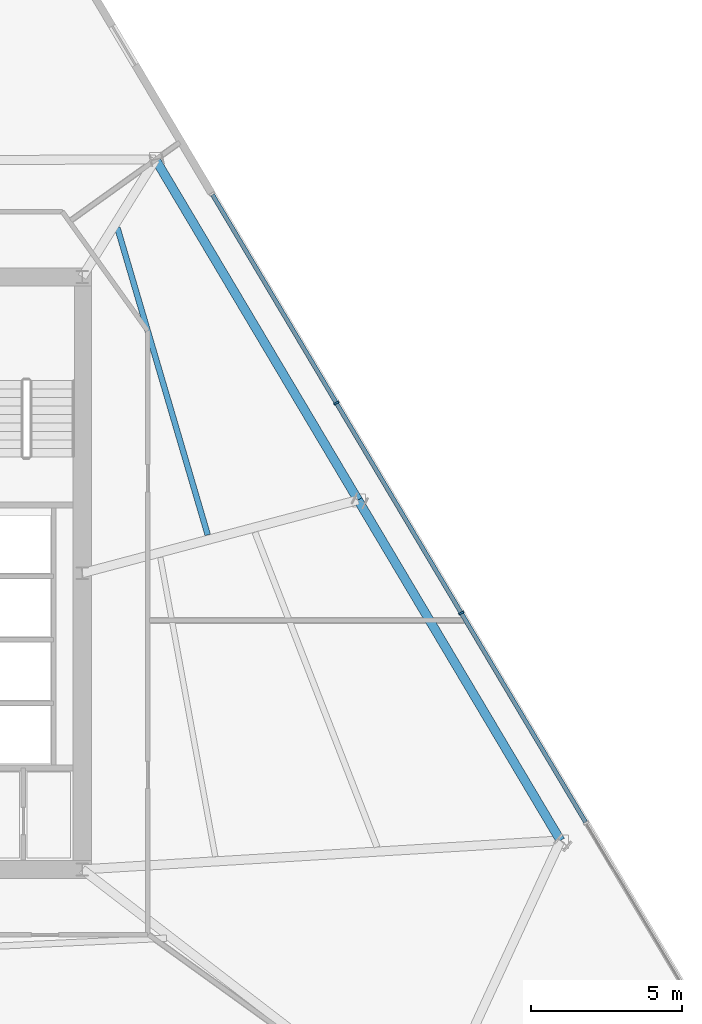
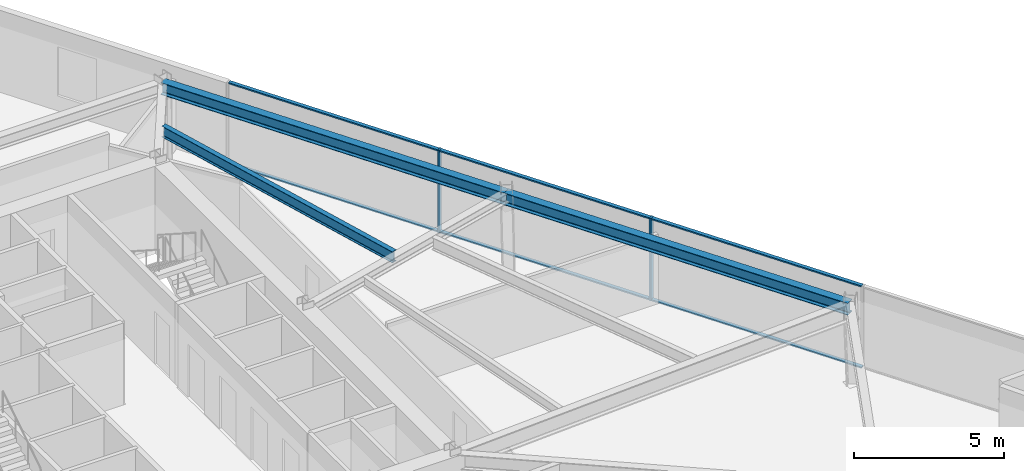
# One storey, part 5 of 15: 8 members, 3 beams, 1 element without a shape of its own.
"""IFC4 building model written with IfcOpenShell, lengths in metres."""

from ifc_helpers import new_model, si_unit, direction, frame, origin, origin_2d, place, context, subcontext, project, spatial, rectangle, i_section, extrude, material, material_profile, profile_set, type_object, element, aggregate, save


model = new_model("IFC4")

# Units and contexts
model_context = context("Model", 3, precision=1e-05, world=origin(), true_north=direction((0.0, 1.0)))
body_context = subcontext(model_context, "Body", "Model", "MODEL_VIEW")
ifc_project = project(units=[si_unit("LENGTHUNIT", "METRE"), si_unit("AREAUNIT", "SQUARE_METRE"), si_unit("VOLUMEUNIT", "CUBIC_METRE"), si_unit("PLANEANGLEUNIT", "RADIAN"), si_unit("MASSUNIT", "GRAM", prefix="KILO")], contexts=[model_context])

# Site, building, storey
site_placement = place(None, origin())
site = spatial("IfcSite", under=ifc_project, at=site_placement, CompositionType="ELEMENT")
building_placement = place(site_placement, origin())
building = spatial("IfcBuilding", under=site, at=building_placement, Name="Savorim Split Tower", CompositionType="ELEMENT")
storey_placement = place(building_placement, frame((0.0, 0.0, 89.699951171875)))
storey = spatial("IfcBuildingStorey", under=building, at=storey_placement, Name="L23", CompositionType="ELEMENT", Elevation=89.699951171875)

# Beams
ifc_material_1 = material(Name="Steel S355", Category="steel")
ifc_material_profile_1 = material_profile(ifc_material_1, i_section(OverallWidth=0.18994140625, OverallDepth=0.449951171875, WebThickness=0.009521484375, FlangeThickness=0.0146484375, FilletRadius=0.02099609375, at=origin_2d()), Name="IPE 450")
ifc_profile_set_1 = profile_set([ifc_material_profile_1], Name="Steel S355")
beam_type_1 = type_object("IfcBeamType", Name="BM-JST-IPE450", PredefinedType="JOIST", material=ifc_profile_set_1)
beam_placement = place(storey_placement, frame((11.8515625, 1.6669921875, 3.125), z_axis=(-0.282224942813, 0.959348258796, 0.0), x_axis=(-0.959348258796, -0.282224942813, 0.0)))
element("IfcBeam", 1, at=beam_placement, inside=storey, type_object=beam_type_1, Name="L23 Secondary Floor Joist JS-07", PredefinedType="JOIST", context=body_context, shape_type="SweptSolid", body=[
    extrude(i_section(OverallWidth=0.18994140625, OverallDepth=0.449951171875, WebThickness=0.009521484375, FlangeThickness=0.0146484375, FilletRadius=0.02099609375, at=origin_2d()), origin(), (0.0, 0.0, 1.0), 10.597900390625),
])
ifc_material_profile_2 = material_profile(ifc_material_1, i_section(OverallWidth=0.300048828125, OverallDepth=0.489990234375, WebThickness=0.011962890625, FlangeThickness=0.02294921875, FilletRadius=0.027099609375, at=origin_2d()), Name="HEA 500")
ifc_profile_set_2 = profile_set([ifc_material_profile_2], Name="Steel S355")
beam_type_2 = type_object("IfcBeamType", Name="BM-SPN-HEA500", PredefinedType="SPANDREL", material=ifc_profile_set_2)
for number, where, z_axis, x_axis, name in (
    (2, (23.521484375, -8.444091796875, 3.10498046875), (-0.51108655173, 0.859529252929, 0.0), (-0.859529252929, -0.51108655173, 0.0), "L23 Perimeter Spandrel Beam 5"),
    (3, (16.8232421875, 2.82080078125, 3.10498046875), (-0.51108655173, 0.859529252929, 0.0), (-0.859529252929, -0.51108655173, 0.0), "L23 Perimeter Spandrel Beam 6"),
):
    element("IfcBeam", number, at=place(storey_placement, frame(where, z_axis=z_axis, x_axis=x_axis)), inside=storey, type_object=beam_type_2, Name=name, PredefinedType="SPANDREL", context=body_context, shape_type="SweptSolid", body=[
        extrude(i_section(OverallWidth=0.300048828125, OverallDepth=0.489990234375, WebThickness=0.011962890625, FlangeThickness=0.02294921875, FilletRadius=0.027099609375, at=origin_2d()), origin(), (0.0, 0.0, 1.0), 13.10595703125),
    ])

# Curtain wall, members
ifc_material_2 = material(Name="Dark Ceramic-Fritted Insulated Glass", Category="glass")
curtain_wall_type = type_object("IfcCurtainWallType", Name="CW-TWR-FRIT-A", PredefinedType="NOTDEFINED", material=ifc_material_2)
curtain_wall_placement = place(storey_placement, origin())
curtain_wall = element("IfcCurtainWall", 4, at=curtain_wall_placement, inside=storey, type_object=curtain_wall_type, Name="L23 Curtain Wall CW-L23-EAST", PredefinedType="NOTDEFINED")
ifc_material_3 = material(Name="Charcoal Anodised Aluminium", Category="aluminium")
ifc_material_profile_3 = material_profile(ifc_material_3, rectangle(XDim=0.179931640625, YDim=0.06494140625, at=origin_2d()), Name="ALU-M 180x65")
ifc_profile_set_3 = profile_set([ifc_material_profile_3], Name="Charcoal Anodised Aluminium")
member_type_1 = type_object("IfcMemberType", Name="CWM-180x65", PredefinedType="MULLION", material=ifc_profile_set_3)
member_1_placement = place(storey_placement, frame((20.23681640625, -0.91845703125, 0.0), z_axis=(0.0, 0.0, 1.0), x_axis=(-0.859524537852, -0.511094481315, 0.0)))
member_1 = element("IfcMember", 5, at=member_1_placement, type_object=member_type_1, Name="CW-02 mullion 3", PredefinedType="MULLION", context=body_context, shape_type="SweptSolid", body=[
    extrude(rectangle(XDim=0.179931640625, YDim=0.06494140625, at=origin_2d()), origin(), (0.0, 0.0, 1.0), 3.35009765625),
])
member_2_placement = place(storey_placement, frame((16.106689453125, 6.027099609375, 0.0), z_axis=(0.0, 0.0, 1.0), x_axis=(-0.859524537852, -0.511094481315, 0.0)))
member_2 = element("IfcMember", 6, at=member_2_placement, type_object=member_type_1, Name="CW-02 mullion 4", PredefinedType="MULLION", context=body_context, shape_type="SweptSolid", body=[
    extrude(rectangle(XDim=0.179931640625, YDim=0.06494140625, at=origin_2d()), origin(), (0.0, 0.0, 1.0), 3.35009765625),
])
ifc_material_profile_4 = material_profile(ifc_material_3, rectangle(XDim=0.139892578125, YDim=0.054931640625, at=origin_2d()), Name="ALU-T 140x55")
ifc_profile_set_4 = profile_set([ifc_material_profile_4], Name="Charcoal Anodised Aluminium")
member_type_2 = type_object("IfcMemberType", Name="CWT-140x55", PredefinedType="USERDEFINED", material=ifc_profile_set_4)
member_3_placement = place(storey_placement, frame((24.35009765625, -7.836181640625, 0.027587890625), z_axis=(-0.511074176555, 0.859536611238, 0.0), x_axis=(-0.859536611238, -0.511074176555, 0.0)))
member_3 = element("IfcMember", 7, at=member_3_placement, type_object=member_type_2, Name="CW-02 transom 2.1", ObjectType="TRANSOM", PredefinedType="USERDEFINED", context=body_context, shape_type="SweptSolid", body=[
    extrude(rectangle(XDim=0.139892578125, YDim=0.054931640625, at=origin_2d()), origin(), (0.0, 0.0, 1.0), 8.015869140625),
])
member_4_placement = place(storey_placement, frame((24.35009765625, -7.836181640625, 3.322509765625), z_axis=(-0.511074176555, 0.859536611238, 0.0), x_axis=(-0.859536611238, -0.511074176555, 0.0)))
member_4 = element("IfcMember", 8, at=member_4_placement, type_object=member_type_2, Name="CW-02 transom 2.2", ObjectType="TRANSOM", PredefinedType="USERDEFINED", context=body_context, shape_type="SweptSolid", body=[
    extrude(rectangle(XDim=0.139892578125, YDim=0.054931640625, at=origin_2d()), origin(), (0.0, 0.0, 1.0), 8.015869140625),
])
member_5_placement = place(storey_placement, frame((20.22021484375, -0.890380859375, 0.027587890625), z_axis=(-0.511110057984, 0.859515275389, 0.0), x_axis=(-0.859515275389, -0.511110057984, 0.0)))
member_5 = element("IfcMember", 9, at=member_5_placement, type_object=member_type_2, Name="CW-02 transom 3.1", ObjectType="TRANSOM", PredefinedType="USERDEFINED", context=body_context, shape_type="SweptSolid", body=[
    extrude(rectangle(XDim=0.139892578125, YDim=0.054931640625, at=origin_2d()), origin(), (0.0, 0.0, 1.0), 8.015625),
])
member_6_placement = place(storey_placement, frame((20.22021484375, -0.890380859375, 3.322509765625), z_axis=(-0.511110057984, 0.859515275389, 0.0), x_axis=(-0.859515275389, -0.511110057984, 0.0)))
member_6 = element("IfcMember", 10, at=member_6_placement, type_object=member_type_2, Name="CW-02 transom 3.2", ObjectType="TRANSOM", PredefinedType="USERDEFINED", context=body_context, shape_type="SweptSolid", body=[
    extrude(rectangle(XDim=0.139892578125, YDim=0.054931640625, at=origin_2d()), origin(), (0.0, 0.0, 1.0), 8.015625),
])
member_7_placement = place(storey_placement, frame((16.090087890625, 6.05517578125, 0.027587890625), z_axis=(-0.511082720603, 0.859531530952, 0.0), x_axis=(-0.859531530952, -0.511082720603, 0.0)))
member_7 = element("IfcMember", 11, at=member_7_placement, type_object=member_type_2, Name="CW-02 transom 4.1", ObjectType="TRANSOM", PredefinedType="USERDEFINED", context=body_context, shape_type="SweptSolid", body=[
    extrude(rectangle(XDim=0.139892578125, YDim=0.054931640625, at=origin_2d()), origin(), (0.0, 0.0, 1.0), 7.983154296875),
])
member_8_placement = place(storey_placement, frame((16.090087890625, 6.05517578125, 3.322509765625), z_axis=(-0.511082720603, 0.859531530952, 0.0), x_axis=(-0.859531530952, -0.511082720603, 0.0)))
member_8 = element("IfcMember", 12, at=member_8_placement, type_object=member_type_2, Name="CW-02 transom 4.2", ObjectType="TRANSOM", PredefinedType="USERDEFINED", context=body_context, shape_type="SweptSolid", body=[
    extrude(rectangle(XDim=0.139892578125, YDim=0.054931640625, at=origin_2d()), origin(), (0.0, 0.0, 1.0), 7.983154296875),
])
aggregate(curtain_wall, [member_1, member_2, member_3, member_4, member_5, member_6, member_7, member_8])

save(model, "model.ifc")
